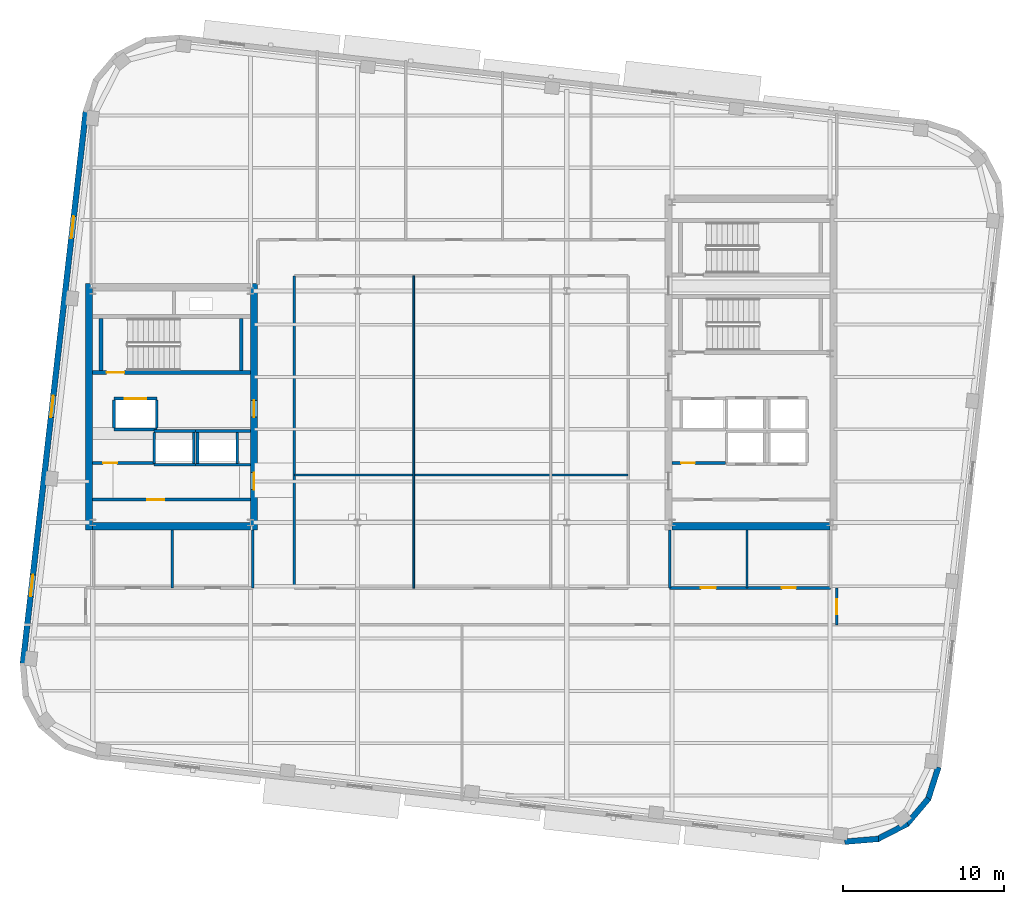
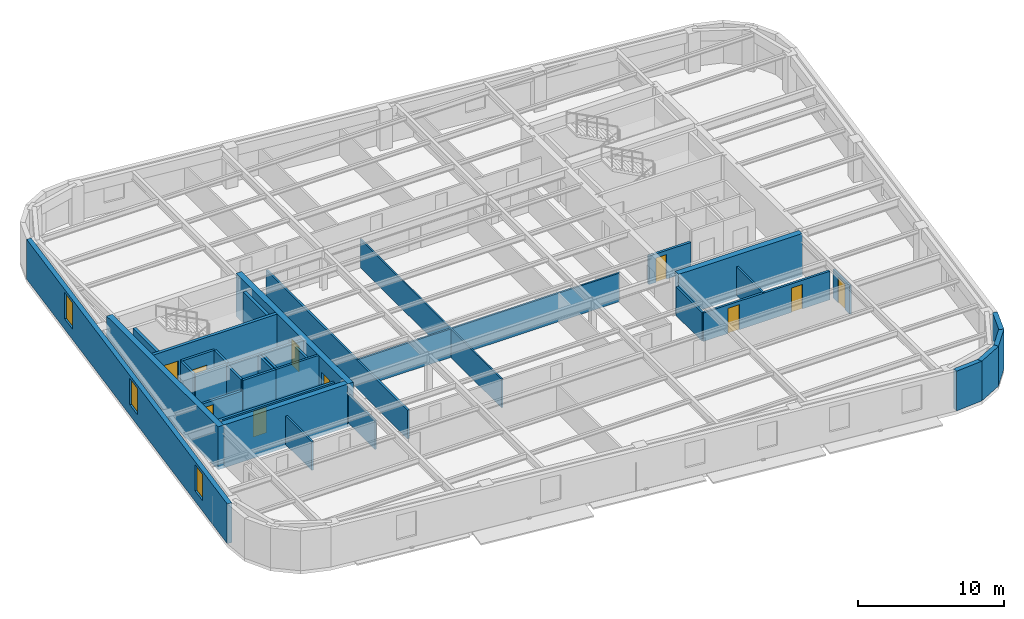
# One storey, part 6 of 13: 36 walls, 10 doors, 3 windows, 13 openings.
"""IFC4 building model written with IfcOpenShell, lengths in metres."""

from ifc_helpers import new_model, si_unit, direction, frame, frame_2d, origin, place, context, subcontext, project, spatial, rectangle, extrude, material, layer, layer_set, type_object, element, fill, save


model = new_model("IFC4")

# Units and contexts
model_context = context("Model", 3, precision=1e-05, world=origin(), true_north=direction((0.0, 1.0)))
body_context = subcontext(model_context, "Body", "Model", "MODEL_VIEW")
ifc_project = project(units=[si_unit("LENGTHUNIT", "METRE"), si_unit("AREAUNIT", "SQUARE_METRE"), si_unit("VOLUMEUNIT", "CUBIC_METRE"), si_unit("PLANEANGLEUNIT", "RADIAN"), si_unit("MASSUNIT", "GRAM", prefix="KILO")], contexts=[model_context])

# Site, building, storey
site_placement = place(None, origin())
site = spatial("IfcSite", under=ifc_project, at=site_placement, CompositionType="ELEMENT")
building_placement = place(site_placement, origin())
building = spatial("IfcBuilding", under=site, at=building_placement, Name="Kolvaren Arena Tower", CompositionType="ELEMENT")
storey_placement = place(building_placement, frame((0.0, 0.0, 265.949951171875)))
storey = spatial("IfcBuildingStorey", under=building, at=storey_placement, Name="L65", CompositionType="ELEMENT", Elevation=265.949951171875)

# Wall
ifc_material_1 = material(Name="Gypsum board acoustic assembly", Category="gypsum")
ifc_layer_1 = layer(ifc_material_1, 0.159912109375)
ifc_layer_set_1 = layer_set([ifc_layer_1], Name="Gypsum board acoustic assembly")
wall_type_1 = type_object("IfcWallType", Name="CORR-160", PredefinedType="PARTITIONING", material=ifc_layer_set_1)
wall_1_placement = place(storey_placement, frame((27.080078125, 15.3798828125, 0.0), z_axis=(0.0, 0.0, 1.0), x_axis=(0.0, 1.0, 0.0)))
element("IfcWall", 1, at=wall_1_placement, inside=storey, type_object=wall_type_1, Name="Interior Partition Wall (L65)", PredefinedType="PARTITIONING", context=body_context, shape_type="SweptSolid", body=[
    extrude(rectangle(XDim=19.400146484375, YDim=0.159912109375, at=frame_2d((9.7001953125, 0.0))), origin(), (0.0, 0.0, 1.0), 2.39013671875),
])

# Wall, opening, door
wall_2_placement = place(storey_placement, frame((60.780029296875, 13.10009765625, 0.0), z_axis=(0.0, 0.0, 1.0), x_axis=(0.0, 1.0, 0.0)))
wall_2 = element("IfcWall", 2, at=wall_2_placement, inside=storey, type_object=wall_type_1, Name="Interior Partition Wall (L65)", PredefinedType="PARTITIONING", context=body_context, shape_type="SweptSolid", body=[
    extrude(rectangle(XDim=2.2998046875, YDim=0.159912109375, at=frame_2d((1.14990234375, 0.0))), origin(), (0.0, 0.0, 1.0), 2.39013671875),
])
opening_1_placement = place(wall_2_placement, frame((0.64990234375, 0.0, 0.0)))
opening_1 = element("IfcOpeningElement", 3, at=opening_1_placement, cuts=wall_2, Name="Opening D05", PredefinedType="OPENING", context=body_context, shape_type="SweptSolid", body=[
    extrude(rectangle(XDim=0.949951171875, YDim=2.14990234375, at=frame_2d((0.47509765625, 1.074951171875))), frame((0.0, 0.08984375, 0.0), z_axis=(0.0, -1.0, 0.0), x_axis=(1.0, 0.0, 0.0)), (0.0, 0.0, 1.0), 0.179931640625),
])
ifc_material_2 = material(Name="Solid-core oak acoustic office door", Category="wood")
door_type_1 = type_object("IfcDoorType", Name="DOOR-OF-095", OperationType="NOTDEFINED", PredefinedType="DOOR", material=ifc_material_2)
door_1_placement = place(opening_1_placement, origin())
door_1 = element("IfcDoor", 4, at=door_1_placement, inside=storey, type_object=door_type_1, Name="East Wing Studio Door (L65)", OperationType="SINGLE_SWING_RIGHT", OverallHeight=2.14990234375, OverallWidth=0.949951171875, PredefinedType="DOOR", context=body_context, shape_type="SweptSolid", body=[
    extrude(rectangle(XDim=0.949951171875, YDim=2.14990234375, at=frame_2d((0.47509765625, 1.074951171875))), frame((0.0, 0.02490234375, 0.0), z_axis=(0.0, -1.0, 0.0), x_axis=(1.0, 0.0, 0.0)), (0.0, 0.0, 1.0), 0.050048828125),
])
fill(opening_1, door_1)

# Wall
ifc_material_3 = material(Name="Concrete 55 MPa", Category="concrete")
ifc_layer_2 = layer(ifc_material_3, 0.449951171875)
ifc_layer_set_2 = layer_set([ifc_layer_2], Name="Concrete 55 MPa")
wall_type_2 = type_object("IfcWallType", Name="CWALL-450", PredefinedType="SHEAR", material=ifc_layer_set_2)
wall_3_placement = place(storey_placement, frame((14.324951171875, 19.0, -0.27001953125), z_axis=(0.0, 0.0, 1.0), x_axis=(0.0, 1.0, 0.0)))
element("IfcWall", 5, at=wall_3_placement, inside=storey, type_object=wall_type_2, Name="Core Shear Wall WC-WEST (L65)", PredefinedType="SHEAR", context=body_context, shape_type="SweptSolid", body=[
    extrude(rectangle(XDim=15.300048828125, YDim=0.449951171875, at=frame_2d((7.64990234375, 0.0))), origin(), (0.0, 0.0, 1.0), 3.60009765625),
])

# Wall, openings, doors
wall_4_placement = place(storey_placement, frame((24.574951171875, 19.0, -0.27001953125), z_axis=(0.0, 0.0, 1.0), x_axis=(0.0, 1.0, 0.0)))
wall_4 = element("IfcWall", 6, at=wall_4_placement, inside=storey, type_object=wall_type_2, Name="Core Shear Wall WC-EAST (L65)", PredefinedType="SHEAR", context=body_context, shape_type="SweptSolid", body=[
    extrude(rectangle(XDim=15.300048828125, YDim=0.449951171875, at=frame_2d((7.64990234375, 0.0))), origin(), (0.0, 0.0, 1.0), 3.60009765625),
])
opening_2_placement = place(wall_4_placement, frame((2.5, 0.0, 0.27001953125)))
opening_2 = element("IfcOpeningElement", 7, at=opening_2_placement, cuts=wall_4, Name="Opening D04", PredefinedType="OPENING", context=body_context, shape_type="SweptSolid", body=[
    extrude(rectangle(XDim=1.050048828125, YDim=2.14990234375, at=frame_2d((0.52490234375, 1.074951171875))), frame((0.0, 0.23486328125, 0.0), z_axis=(0.0, -1.0, 0.0), x_axis=(1.0, 0.0, 0.0)), (0.0, 0.0, 1.0), 0.469970703125),
])
opening_3_placement = place(wall_4_placement, frame((7.0, 0.0, 0.27001953125)))
opening_3 = element("IfcOpeningElement", 8, at=opening_3_placement, cuts=wall_4, Name="Opening D04", PredefinedType="OPENING", context=body_context, shape_type="SweptSolid", body=[
    extrude(rectangle(XDim=1.050048828125, YDim=2.14990234375, at=frame_2d((0.52490234375, 1.074951171875))), frame((0.0, 0.23486328125, 0.0), z_axis=(0.0, -1.0, 0.0), x_axis=(1.0, 0.0, 0.0)), (0.0, 0.0, 1.0), 0.469970703125),
])
ifc_material_4 = material(Name="Fire-rated steel lobby door", Category="steel")
door_type_2 = type_object("IfcDoorType", Name="DOOR-FF-105", OperationType="NOTDEFINED", PredefinedType="DOOR", material=ifc_material_4)
door_2_placement = place(opening_2_placement, origin())
door_2 = element("IfcDoor", 9, at=door_2_placement, inside=storey, type_object=door_type_2, Name="West Lift Lobby Fire Door (L65)", OperationType="SINGLE_SWING_LEFT", OverallHeight=2.14990234375, OverallWidth=1.050048828125, PredefinedType="DOOR", context=body_context, shape_type="SweptSolid", body=[
    extrude(rectangle(XDim=1.050048828125, YDim=2.14990234375, at=frame_2d((0.52490234375, 1.074951171875))), frame((0.0, 0.02490234375, 0.0), z_axis=(0.0, -1.0, 0.0), x_axis=(1.0, 0.0, 0.0)), (0.0, 0.0, 1.0), 0.050048828125),
])
fill(opening_2, door_2)
door_3_placement = place(opening_3_placement, origin())
door_3 = element("IfcDoor", 10, at=door_3_placement, inside=storey, type_object=door_type_2, Name="West Firefighter Vestibule Door (L65)", OperationType="SINGLE_SWING_RIGHT", OverallHeight=2.14990234375, OverallWidth=1.050048828125, PredefinedType="DOOR", context=body_context, shape_type="SweptSolid", body=[
    extrude(rectangle(XDim=1.050048828125, YDim=2.14990234375, at=frame_2d((0.52490234375, 1.074951171875))), frame((0.0, 0.02490234375, 0.0), z_axis=(0.0, -1.0, 0.0), x_axis=(1.0, 0.0, 0.0)), (0.0, 0.0, 1.0), 0.050048828125),
])
fill(opening_3, door_3)

# Walls
for number, where, z_axis, x_axis, name in (
    (11, (14.550048828125, 19.22509765625, -0.27001953125), (0.0, 0.0, 1.0), (1.0, 0.0, 0.0), "Core Shear Wall WC-SOUTH (L65)"),
    (12, (50.550048828125, 19.22509765625, -0.27001953125), (0.0, 0.0, 1.0), (1.0, 0.0, 0.0), "Core Shear Wall EC-SOUTH (L65)"),
):
    element("IfcWall", number, at=place(storey_placement, frame(where, z_axis=z_axis, x_axis=x_axis)), inside=storey, type_object=wall_type_2, Name=name, PredefinedType="SHEAR", context=body_context, shape_type="SweptSolid", body=[
        extrude(rectangle(XDim=9.800048828125, YDim=0.449951171875, at=frame_2d((4.89990234375, 0.0))), origin(), (0.0, 0.0, 1.0), 3.60009765625),
    ])
ifc_material_5 = material(Name="Precast concrete C50/60", Category="concrete")
ifc_layer_3 = layer(ifc_material_5, 0.360107421875)
ifc_layer_set_3 = layer_set([ifc_layer_3], Name="Precast concrete C50/60")
wall_type_3 = type_object("IfcWallType", Name="EXT-PIER2", PredefinedType="SOLIDWALL", material=ifc_layer_set_3)
wall_5_placement = place(storey_placement, frame((63.370361328125, -0.199462890625, 0.0), z_axis=(0.0, 0.0, 1.0), x_axis=(-0.996562518477, -0.082844111233, 0.0)))
element("IfcWall", 13, at=wall_5_placement, inside=storey, type_object=wall_type_3, Name="Exterior Precast Masonry-Frame Wall (L65)", PredefinedType="SOLIDWALL", context=body_context, shape_type="SweptSolid", body=[
    extrude(rectangle(XDim=2.107177734375, YDim=0.360107421875, at=frame_2d((1.0537109375, 0.0))), origin(), (0.0, 0.0, 1.0), 3.330078125),
])
for number, where, z_axis, x_axis, name in (
    (14, (65.176025390625, 0.745849609375, 0.0), (0.0, 0.0, 1.0), (-0.888985992199, -0.457934390142, 0.0), "Exterior Precast Masonry-Frame Wall (L65)"),
    (15, (66.482421875, 2.310302734375, 0.0), (0.0, 0.0, 1.0), (-0.646103249464, -0.763250018691, 0.0), "Exterior Precast Masonry-Frame Wall (L65)"),
):
    element("IfcWall", number, at=place(storey_placement, frame(where, z_axis=z_axis, x_axis=x_axis)), inside=storey, type_object=wall_type_3, Name=name, PredefinedType="SOLIDWALL", context=body_context, shape_type="SweptSolid", body=[
        extrude(rectangle(XDim=2.10693359375, YDim=0.360107421875, at=frame_2d((1.053466796875, 0.0))), origin(), (0.0, 0.0, 1.0), 3.330078125),
    ])
wall_6_placement = place(storey_placement, frame((67.0908203125, 4.255615234375, 0.0), z_axis=(0.0, 0.0, 1.0), x_axis=(-0.304838787518, -0.952403965565, 0.0)))
element("IfcWall", 16, at=wall_6_placement, inside=storey, type_object=wall_type_3, Name="Exterior Precast Masonry-Frame Wall (L65)", PredefinedType="SOLIDWALL", context=body_context, shape_type="SweptSolid", body=[
    extrude(rectangle(XDim=2.107177734375, YDim=0.360107421875, at=frame_2d((1.0537109375, 0.0))), origin(), (0.0, 0.0, 1.0), 3.330078125),
])

# Wall, openings, windows
wall_7_placement = place(storey_placement, frame((10.211181640625, 10.70068359375, 0.0), z_axis=(0.0, 0.0, 1.0), x_axis=(0.113203107947, 0.993571867733, 0.0)))
wall_7 = element("IfcWall", 17, at=wall_7_placement, inside=storey, type_object=wall_type_3, Name="Exterior Precast Masonry-Frame Wall (L65)", PredefinedType="SOLIDWALL", context=body_context, shape_type="SweptSolid", body=[
    extrude(rectangle(XDim=34.5, YDim=0.360107421875, at=frame_2d((17.25, 0.0))), origin(), (0.0, 0.0, 1.0), 3.330078125),
])
opening_4_placement = place(wall_7_placement, frame((4.199951171875, 0.0, 0.8798828125)))
opening_4 = element("IfcOpeningElement", 18, at=opening_4_placement, cuts=wall_7, Name="Opening W04", PredefinedType="OPENING", context=body_context, shape_type="SweptSolid", body=[
    extrude(rectangle(XDim=1.35009765625, YDim=2.199951171875, at=frame_2d((0.675048828125, 1.10009765625))), frame((0.0, 0.18994140625, 0.0), z_axis=(0.0, -1.0, 0.0), x_axis=(1.0, 0.0, 0.0)), (0.0, 0.0, 1.0), 0.380126953125),
])
opening_5_placement = place(wall_7_placement, frame((15.39990234375, 0.0, 0.8798828125)))
opening_5 = element("IfcOpeningElement", 19, at=opening_5_placement, cuts=wall_7, Name="Opening W04", PredefinedType="OPENING", context=body_context, shape_type="SweptSolid", body=[
    extrude(rectangle(XDim=1.35009765625, YDim=2.199951171875, at=frame_2d((0.675048828125, 1.10009765625))), frame((0.0, 0.18994140625, 0.0), z_axis=(0.0, -1.0, 0.0), x_axis=(1.0, 0.0, 0.0)), (0.0, 0.0, 1.0), 0.380126953125),
])
opening_6_placement = place(wall_7_placement, frame((26.60009765625, 0.0, 0.8798828125)))
opening_6 = element("IfcOpeningElement", 20, at=opening_6_placement, cuts=wall_7, Name="Opening W04", PredefinedType="OPENING", context=body_context, shape_type="SweptSolid", body=[
    extrude(rectangle(XDim=1.35009765625, YDim=2.199951171875, at=frame_2d((0.675048828125, 1.10009765625))), frame((0.0, 0.18994140625, 0.0), z_axis=(0.0, -1.0, 0.0), x_axis=(1.0, 0.0, 0.0)), (0.0, 0.0, 1.0), 0.380126953125),
])
ifc_material_6 = material(Name="Triple-glazed curved-facet corner window", Category="glass")
window_type = type_object("IfcWindowType", Name="WIN-CRN-A", PartitioningType="SINGLE_PANEL", PredefinedType="WINDOW", material=ifc_material_6)
window_1_placement = place(opening_4_placement, origin())
window_1 = element("IfcWindow", 21, at=window_1_placement, inside=storey, type_object=window_type, Name="End-Wall Punched Window (L65)", OverallHeight=2.199951171875, OverallWidth=1.35009765625, PartitioningType="SINGLE_PANEL", PredefinedType="WINDOW", context=body_context, shape_type="SweptSolid", body=[
    extrude(rectangle(XDim=1.35009765625, YDim=2.199951171875, at=frame_2d((0.675048828125, 1.10009765625))), frame((0.0, 0.030029296875, 0.0), z_axis=(0.0, -1.0, 0.0), x_axis=(1.0, 0.0, 0.0)), (0.0, 0.0, 1.0), 0.06005859375),
])
fill(opening_4, window_1)
window_2_placement = place(opening_5_placement, origin())
window_2 = element("IfcWindow", 22, at=window_2_placement, inside=storey, type_object=window_type, Name="End-Wall Punched Window (L65)", OverallHeight=2.199951171875, OverallWidth=1.35009765625, PartitioningType="SINGLE_PANEL", PredefinedType="WINDOW", context=body_context, shape_type="SweptSolid", body=[
    extrude(rectangle(XDim=1.35009765625, YDim=2.199951171875, at=frame_2d((0.675048828125, 1.10009765625))), frame((0.0, 0.030029296875, 0.0), z_axis=(0.0, -1.0, 0.0), x_axis=(1.0, 0.0, 0.0)), (0.0, 0.0, 1.0), 0.06005859375),
])
fill(opening_5, window_2)
window_3_placement = place(opening_6_placement, origin())
window_3 = element("IfcWindow", 23, at=window_3_placement, inside=storey, type_object=window_type, Name="End-Wall Punched Window (L65)", OverallHeight=2.199951171875, OverallWidth=1.35009765625, PartitioningType="SINGLE_PANEL", PredefinedType="WINDOW", context=body_context, shape_type="SweptSolid", body=[
    extrude(rectangle(XDim=1.35009765625, YDim=2.199951171875, at=frame_2d((0.675048828125, 1.10009765625))), frame((0.0, 0.030029296875, 0.0), z_axis=(0.0, -1.0, 0.0), x_axis=(1.0, 0.0, 0.0)), (0.0, 0.0, 1.0), 0.06005859375),
])
fill(opening_6, window_3)

# Wall, opening, door
ifc_material_7 = material(Name="Concrete 40 MPa", Category="concrete")
ifc_layer_4 = layer(ifc_material_7, 0.199951171875)
ifc_layer_set_4 = layer_set([ifc_layer_4], Name="Concrete 40 MPa")
wall_type_4 = type_object("IfcWallType", Name="LOBBY-200", PredefinedType="SOLIDWALL", material=ifc_layer_set_4)
wall_8_placement = place(storey_placement, frame((50.550048828125, 23.159912109375, 0.0), z_axis=(0.0, 0.0, 1.0), x_axis=(1.0, 0.0, 0.0)))
wall_8 = element("IfcWall", 24, at=wall_8_placement, inside=storey, type_object=wall_type_4, Name="Core Shaft Wall (L65)", PredefinedType="SOLIDWALL", context=body_context, shape_type="SweptSolid", body=[
    extrude(rectangle(XDim=3.329833984375, YDim=0.199951171875, at=frame_2d((1.6650390625, 0.0))), origin(), (0.0, 0.0, 1.0), 2.39013671875),
])
opening_7_placement = place(wall_8_placement, frame((0.550048828125, 0.0, 0.0)))
opening_7 = element("IfcOpeningElement", 25, at=opening_7_placement, cuts=wall_8, Name="Opening D09", PredefinedType="OPENING", context=body_context, shape_type="SweptSolid", body=[
    extrude(rectangle(XDim=0.860107421875, YDim=2.050048828125, at=frame_2d((0.43017578125, 1.02490234375))), frame((0.0, 0.10986328125, 0.0), z_axis=(0.0, -1.0, 0.0), x_axis=(1.0, 0.0, 0.0)), (0.0, 0.0, 1.0), 0.219970703125),
])
ifc_material_8 = material(Name="Fire-rated steel riser access door", Category="steel")
door_type_3 = type_object("IfcDoorType", Name="DOOR-RS-086", OperationType="NOTDEFINED", PredefinedType="DOOR", material=ifc_material_8)
door_4_placement = place(opening_7_placement, origin())
door_4 = element("IfcDoor", 26, at=door_4_placement, inside=storey, type_object=door_type_3, Name="East AV Riser Closet Door (L65)", OperationType="SINGLE_SWING_LEFT", OverallHeight=2.050048828125, OverallWidth=0.860107421875, PredefinedType="DOOR", context=body_context, shape_type="SweptSolid", body=[
    extrude(rectangle(XDim=0.860107421875, YDim=2.050048828125, at=frame_2d((0.43017578125, 1.02490234375))), frame((0.0, 0.02490234375, 0.0), z_axis=(0.0, -1.0, 0.0), x_axis=(1.0, 0.0, 0.0)), (0.0, 0.0, 1.0), 0.050048828125),
])
fill(opening_7, door_4)

wall_9_placement = place(storey_placement, frame((14.550048828125, 20.8798828125, 0.0), z_axis=(0.0, 0.0, 1.0), x_axis=(1.0, 0.0, 0.0)))
wall_9 = element("IfcWall", 27, at=wall_9_placement, inside=storey, type_object=wall_type_4, Name="Core Shaft Wall (L65)", PredefinedType="SOLIDWALL", context=body_context, shape_type="SweptSolid", body=[
    extrude(rectangle(XDim=9.800048828125, YDim=0.199951171875, at=frame_2d((4.89990234375, 0.0))), origin(), (0.0, 0.0, 1.0), 2.39013671875),
])
opening_8_placement = place(wall_9_placement, frame((3.39990234375, 0.0, 0.0)))
opening_8 = element("IfcOpeningElement", 28, at=opening_8_placement, cuts=wall_9, Name="Opening D04", PredefinedType="OPENING", context=body_context, shape_type="SweptSolid", body=[
    extrude(rectangle(XDim=1.050048828125, YDim=2.14990234375, at=frame_2d((0.52490234375, 1.074951171875))), frame((0.0, 0.10986328125, 0.0), z_axis=(0.0, -1.0, 0.0), x_axis=(1.0, 0.0, 0.0)), (0.0, 0.0, 1.0), 0.219970703125),
])
door_5_placement = place(opening_8_placement, origin())
door_5 = element("IfcDoor", 29, at=door_5_placement, inside=storey, type_object=door_type_2, Name="West IT Room Fire Door (L65)", OperationType="SINGLE_SWING_LEFT", OverallHeight=2.14990234375, OverallWidth=1.050048828125, PredefinedType="DOOR", context=body_context, shape_type="SweptSolid", body=[
    extrude(rectangle(XDim=1.050048828125, YDim=2.14990234375, at=frame_2d((0.52490234375, 1.074951171875))), frame((0.0, 0.02490234375, 0.0), z_axis=(0.0, -1.0, 0.0), x_axis=(1.0, 0.0, 0.0)), (0.0, 0.0, 1.0), 0.050048828125),
])
fill(opening_8, door_5)

wall_10_placement = place(storey_placement, frame((14.550048828125, 23.159912109375, 0.0), z_axis=(0.0, 0.0, 1.0), x_axis=(1.0, 0.0, 0.0)))
wall_10 = element("IfcWall", 30, at=wall_10_placement, inside=storey, type_object=wall_type_4, Name="Core Shaft Wall (L65)", PredefinedType="SOLIDWALL", context=body_context, shape_type="SweptSolid", body=[
    extrude(rectangle(XDim=3.820068359375, YDim=0.199951171875, at=frame_2d((1.91015625, 0.0))), origin(), (0.0, 0.0, 1.0), 2.39013671875),
])
opening_9_placement = place(wall_10_placement, frame((0.64990234375, 0.0, 0.0)))
opening_9 = element("IfcOpeningElement", 31, at=opening_9_placement, cuts=wall_10, Name="Opening D09", PredefinedType="OPENING", context=body_context, shape_type="SweptSolid", body=[
    extrude(rectangle(XDim=0.860107421875, YDim=2.050048828125, at=frame_2d((0.43017578125, 1.02490234375))), frame((0.0, 0.10986328125, 0.0), z_axis=(0.0, -1.0, 0.0), x_axis=(1.0, 0.0, 0.0)), (0.0, 0.0, 1.0), 0.219970703125),
])
door_6_placement = place(opening_9_placement, origin())
door_6 = element("IfcDoor", 32, at=door_6_placement, inside=storey, type_object=door_type_3, Name="West Document Archive Riser Door (L65)", OperationType="SINGLE_SWING_RIGHT", OverallHeight=2.050048828125, OverallWidth=0.860107421875, PredefinedType="DOOR", context=body_context, shape_type="SweptSolid", body=[
    extrude(rectangle(XDim=0.860107421875, YDim=2.050048828125, at=frame_2d((0.43017578125, 1.02490234375))), frame((0.0, 0.02490234375, 0.0), z_axis=(0.0, -1.0, 0.0), x_axis=(1.0, 0.0, 0.0)), (0.0, 0.0, 1.0), 0.050048828125),
])
fill(opening_9, door_6)

# Walls
ifc_material_9 = material(Name="Gypsum board partition assembly", Category="gypsum")
ifc_layer_5 = layer(ifc_material_9, 0.114990234375)
ifc_layer_set_5 = layer_set([ifc_layer_5], Name="Gypsum board partition assembly")
wall_type_5 = type_object("IfcWallType", Name="PART-115", PredefinedType="PARTITIONING", material=ifc_layer_set_5)
wall_11_placement = place(storey_placement, frame((34.5, 15.3798828125, 0.0), z_axis=(0.0, 0.0, 1.0), x_axis=(0.0, 1.0, 0.0)))
element("IfcWall", 33, at=wall_11_placement, inside=storey, type_object=wall_type_5, Name="Interior Partition Wall (L65)", PredefinedType="PARTITIONING", context=body_context, shape_type="SweptSolid", body=[
    extrude(rectangle(XDim=19.400146484375, YDim=0.114990234375, at=frame_2d((9.7001953125, 0.0))), origin(), (0.0, 0.0, 1.0), 2.39013671875),
])
ifc_layer_6 = layer(ifc_material_9, 0.135009765625)
ifc_layer_set_6 = layer_set([ifc_layer_6], Name="Gypsum board partition assembly")
wall_type_6 = type_object("IfcWallType", Name="PART-135", PredefinedType="PARTITIONING", material=ifc_layer_set_6)
wall_12_placement = place(storey_placement, frame((27.080078125, 22.39990234375, 0.0), z_axis=(0.0, 0.0, 1.0), x_axis=(1.0, 0.0, 0.0)))
element("IfcWall", 34, at=wall_12_placement, inside=storey, type_object=wall_type_6, Name="Interior Partition Wall (L65)", PredefinedType="PARTITIONING", context=body_context, shape_type="SweptSolid", body=[
    extrude(rectangle(XDim=20.739990234375, YDim=0.135009765625, at=frame_2d((10.3701171875, 0.0))), origin(), (0.0, 0.0, 1.0), 2.39013671875),
])

# Wall, opening, door
ifc_material_10 = material(Name="Concrete 45 MPa", Category="concrete")
ifc_layer_7 = layer(ifc_material_10, 0.25)
ifc_layer_set_7 = layer_set([ifc_layer_7], Name="Concrete 45 MPa")
wall_type_7 = type_object("IfcWallType", Name="SHAFT-250", PredefinedType="SOLIDWALL", material=ifc_layer_set_7)
wall_13_placement = place(storey_placement, frame((24.35009765625, 28.780029296875, 0.0), z_axis=(0.0, 0.0, 1.0), x_axis=(-1.0, 0.0, 0.0)))
wall_13 = element("IfcWall", 35, at=wall_13_placement, inside=storey, type_object=wall_type_7, Name="Core Shaft Wall (L65)", PredefinedType="SOLIDWALL", context=body_context, shape_type="SweptSolid", body=[
    extrude(rectangle(XDim=9.800048828125, YDim=0.239990234375, at=frame_2d((4.89990234375, 0.0))), origin(), (0.0, 0.0, 1.0), 3.330078125),
])
opening_10_placement = place(wall_13_placement, frame((7.830078125, 0.0, 0.0)))
opening_10 = element("IfcOpeningElement", 36, at=opening_10_placement, cuts=wall_13, Name="Opening D03", PredefinedType="OPENING", context=body_context, shape_type="SweptSolid", body=[
    extrude(rectangle(XDim=1.10009765625, YDim=2.14990234375, at=frame_2d((0.550048828125, 1.074951171875))), frame((0.0, 0.1298828125, 0.0), z_axis=(0.0, -1.0, 0.0), x_axis=(1.0, 0.0, 0.0)), (0.0, 0.0, 1.0), 0.260009765625),
])
ifc_material_11 = material(Name="Fire-rated steel exit stair door", Category="steel")
door_type_4 = type_object("IfcDoorType", Name="DOOR-ST-110", OperationType="NOTDEFINED", PredefinedType="DOOR", material=ifc_material_11)
door_7_placement = place(opening_10_placement, origin())
door_7 = element("IfcDoor", 37, at=door_7_placement, inside=storey, type_object=door_type_4, Name="Stair ST-W1 Fire Door (L65)", OperationType="SINGLE_SWING_RIGHT", OverallHeight=2.14990234375, OverallWidth=1.10009765625, PredefinedType="DOOR", context=body_context, shape_type="SweptSolid", body=[
    extrude(rectangle(XDim=1.10009765625, YDim=2.14990234375, at=frame_2d((0.550048828125, 1.074951171875))), frame((0.0, 0.02490234375, 0.0), z_axis=(0.0, -1.0, 0.0), x_axis=(1.0, 0.0, 0.0)), (0.0, 0.0, 1.0), 0.050048828125),
])
fill(opening_10, door_7)

# Walls
for number, where, z_axis, x_axis, name in (
    (38, (15.06005859375, 28.89990234375, 0.0), (0.0, 0.0, 1.0), (0.0, 1.0, 0.0), "Core Shaft Wall (L65)"),
    (39, (23.780029296875, 28.89990234375, 0.0), (0.0, 0.0, 1.0), (0.0, 1.0, 0.0), "Core Shaft Wall (L65)"),
):
    element("IfcWall", number, at=place(storey_placement, frame(where, z_axis=z_axis, x_axis=x_axis)), inside=storey, type_object=wall_type_7, Name=name, PredefinedType="SOLIDWALL", context=body_context, shape_type="SweptSolid", body=[
        extrude(rectangle(XDim=3.22998046875, YDim=0.239990234375, at=frame_2d((1.614990234375, 0.0))), origin(), (0.0, 0.0, 1.0), 3.330078125),
    ])
for number, where, z_axis, x_axis, name in (
    (40, (18.3701171875, 25.155029296875, 0.0), (0.0, 0.0, 1.0), (1.0, 0.0, 0.0), "Core Shaft Wall (L65)"),
    (41, (18.3701171875, 23.044921875, 0.0), (0.0, 0.0, 1.0), (1.0, 0.0, 0.0), "Core Shaft Wall (L65)"),
):
    element("IfcWall", number, at=place(storey_placement, frame(where, z_axis=z_axis, x_axis=x_axis)), inside=storey, type_object=wall_type_7, Name=name, PredefinedType="SOLIDWALL", context=body_context, shape_type="SweptSolid", body=[
        extrude(rectangle(XDim=2.579833984375, YDim=0.179931640625, at=frame_2d((1.2900390625, 0.0))), origin(), (0.0, 0.0, 1.0), 3.330078125),
    ])
for number, where, z_axis, x_axis, name in (
    (42, (18.3701171875, 23.135009765625, 0.0), (0.0, 0.0, 1.0), (0.0, 1.0, 0.0), "Core Shaft Wall (L65)"),
    (43, (20.830078125, 23.135009765625, 0.0), (0.0, 0.0, 1.0), (0.0, 1.0, 0.0), "Core Shaft Wall (L65)"),
):
    element("IfcWall", number, at=place(storey_placement, frame(where, z_axis=z_axis, x_axis=x_axis)), inside=storey, type_object=wall_type_7, Name=name, PredefinedType="SOLIDWALL", context=body_context, shape_type="SweptSolid", body=[
        extrude(rectangle(XDim=1.929931640625, YDim=0.179931640625, at=frame_2d((0.96484375, 0.0))), origin(), (0.0, 0.0, 1.0), 3.330078125),
    ])
for number, where, z_axis, x_axis, name in (
    (44, (20.949951171875, 25.155029296875, 0.0), (0.0, 0.0, 1.0), (1.0, 0.0, 0.0), "Core Shaft Wall (L65)"),
    (45, (20.949951171875, 23.044921875, 0.0), (0.0, 0.0, 1.0), (1.0, 0.0, 0.0), "Core Shaft Wall (L65)"),
):
    element("IfcWall", number, at=place(storey_placement, frame(where, z_axis=z_axis, x_axis=x_axis)), inside=storey, type_object=wall_type_7, Name=name, PredefinedType="SOLIDWALL", context=body_context, shape_type="SweptSolid", body=[
        extrude(rectangle(XDim=3.400146484375, YDim=0.179931640625, at=frame_2d((1.7001953125, 0.0))), origin(), (0.0, 0.0, 1.0), 3.330078125),
    ])
for number, where, z_axis, x_axis, name in (
    (46, (21.070068359375, 23.135009765625, 0.0), (0.0, 0.0, 1.0), (0.0, 1.0, 0.0), "Core Shaft Wall (L65)"),
    (47, (23.530029296875, 23.135009765625, 0.0), (0.0, 0.0, 1.0), (0.0, 1.0, 0.0), "Core Shaft Wall (L65)"),
):
    element("IfcWall", number, at=place(storey_placement, frame(where, z_axis=z_axis, x_axis=x_axis)), inside=storey, type_object=wall_type_7, Name=name, PredefinedType="SOLIDWALL", context=body_context, shape_type="SweptSolid", body=[
        extrude(rectangle(XDim=1.929931640625, YDim=0.179931640625, at=frame_2d((0.96484375, 0.0))), origin(), (0.0, 0.0, 1.0), 3.330078125),
    ])

# Wall, opening, door
wall_14_placement = place(storey_placement, frame((15.8701171875, 27.155029296875, 0.0), z_axis=(0.0, 0.0, 1.0), x_axis=(1.0, 0.0, 0.0)))
wall_14 = element("IfcWall", 48, at=wall_14_placement, inside=storey, type_object=wall_type_7, Name="Core Shaft Wall (L65)", PredefinedType="SOLIDWALL", context=body_context, shape_type="SweptSolid", body=[
    extrude(rectangle(XDim=2.659912109375, YDim=0.179931640625, at=frame_2d((1.330078125, 0.0))), origin(), (0.0, 0.0, 1.0), 3.330078125),
])
opening_11_placement = place(wall_14_placement, frame((0.655029296875, 0.0, 0.0)))
opening_11 = element("IfcOpeningElement", 49, at=opening_11_placement, cuts=wall_14, Name="Opening LD2", PredefinedType="OPENING", context=body_context, shape_type="SweptSolid", body=[
    extrude(rectangle(XDim=1.35009765625, YDim=2.300048828125, at=frame_2d((0.675048828125, 1.14990234375))), frame((0.0, 0.099853515625, 0.0), z_axis=(0.0, -1.0, 0.0), x_axis=(1.0, 0.0, 0.0)), (0.0, 0.0, 1.0), 0.199951171875),
])
ifc_material_12 = material(Name="Stainless steel firefighter lift landing door", Category="steel")
door_type_5 = type_object("IfcDoorType", Name="DOOR-LD-135", OperationType="DOUBLE_DOOR_SLIDING", PredefinedType="DOOR", material=ifc_material_12)
door_8_placement = place(opening_11_placement, origin())
door_8 = element("IfcDoor", 50, at=door_8_placement, inside=storey, type_object=door_type_5, Name="Firefighter Lift FF-W1 Landing Door (L65)", OperationType="DOUBLE_DOOR_SLIDING", OverallHeight=2.300048828125, OverallWidth=1.35009765625, PredefinedType="DOOR", context=body_context, shape_type="SweptSolid", body=[
    extrude(rectangle(XDim=1.35009765625, YDim=2.300048828125, at=frame_2d((0.675048828125, 1.14990234375))), frame((0.0, 0.02490234375, 0.0), z_axis=(0.0, -1.0, 0.0), x_axis=(1.0, 0.0, 0.0)), (0.0, 0.0, 1.0), 0.050048828125),
])
fill(opening_11, door_8)

# Walls
wall_15_placement = place(storey_placement, frame((15.8701171875, 25.2451171875, 0.0), z_axis=(0.0, 0.0, 1.0), x_axis=(1.0, 0.0, 0.0)))
element("IfcWall", 51, at=wall_15_placement, inside=storey, type_object=wall_type_7, Name="Core Shaft Wall (L65)", PredefinedType="SOLIDWALL", context=body_context, shape_type="SweptSolid", body=[
    extrude(rectangle(XDim=2.659912109375, YDim=0.179931640625, at=frame_2d((1.330078125, 0.0))), origin(), (0.0, 0.0, 1.0), 3.330078125),
])
for number, where, z_axis, x_axis, name in (
    (52, (15.8701171875, 25.3349609375, 0.0), (0.0, 0.0, 1.0), (0.0, 1.0, 0.0), "Core Shaft Wall (L65)"),
    (53, (18.530029296875, 25.3349609375, 0.0), (0.0, 0.0, 1.0), (0.0, 1.0, 0.0), "Core Shaft Wall (L65)"),
):
    element("IfcWall", number, at=place(storey_placement, frame(where, z_axis=z_axis, x_axis=x_axis)), inside=storey, type_object=wall_type_7, Name=name, PredefinedType="SOLIDWALL", context=body_context, shape_type="SweptSolid", body=[
        extrude(rectangle(XDim=1.72998046875, YDim=0.179931640625, at=frame_2d((0.864990234375, 0.0))), origin(), (0.0, 0.0, 1.0), 3.330078125),
    ])

# Wall, openings, doors
wall_16_placement = place(storey_placement, frame((50.39990234375, 15.39990234375, 0.0), z_axis=(0.0, 0.0, 1.0), x_axis=(1.0, 0.0, 0.0)))
wall_16 = element("IfcWall", 54, at=wall_16_placement, inside=storey, type_object=wall_type_7, Name="Interior Partition Wall (L65)", PredefinedType="SOLIDWALL", context=body_context, shape_type="SweptSolid", body=[
    extrude(rectangle(XDim=10.0, YDim=0.179931640625, at=frame_2d((5.0, 0.0))), origin(), (0.0, 0.0, 1.0), 2.39013671875),
])
opening_12_placement = place(wall_16_placement, frame((1.93994140625, 0.0, 0.0)))
opening_12 = element("IfcOpeningElement", 55, at=opening_12_placement, cuts=wall_16, Name="Opening D07", PredefinedType="OPENING", context=body_context, shape_type="SweptSolid", body=[
    extrude(rectangle(XDim=0.919921875, YDim=2.10009765625, at=frame_2d((0.4599609375, 1.050048828125))), frame((0.0, 0.099853515625, 0.0), z_axis=(0.0, -1.0, 0.0), x_axis=(1.0, 0.0, 0.0)), (0.0, 0.0, 1.0), 0.199951171875),
])
opening_13_placement = place(wall_16_placement, frame((6.969970703125, 0.0, 0.0)))
opening_13 = element("IfcOpeningElement", 56, at=opening_13_placement, cuts=wall_16, Name="Opening D09", PredefinedType="OPENING", context=body_context, shape_type="SweptSolid", body=[
    extrude(rectangle(XDim=0.860107421875, YDim=2.050048828125, at=frame_2d((0.43017578125, 1.02490234375))), frame((0.0, 0.099853515625, 0.0), z_axis=(0.0, -1.0, 0.0), x_axis=(1.0, 0.0, 0.0)), (0.0, 0.0, 1.0), 0.199951171875),
])
door_9_placement = place(opening_13_placement, origin())
door_9 = element("IfcDoor", 57, at=door_9_placement, inside=storey, type_object=door_type_3, Name="Electrical Riser Closet Door (L65)", OperationType="SINGLE_SWING_RIGHT", OverallHeight=2.050048828125, OverallWidth=0.860107421875, PredefinedType="DOOR", context=body_context, shape_type="SweptSolid", body=[
    extrude(rectangle(XDim=0.860107421875, YDim=2.050048828125, at=frame_2d((0.43017578125, 1.02490234375))), frame((0.0, 0.02490234375, 0.0), z_axis=(0.0, -1.0, 0.0), x_axis=(1.0, 0.0, 0.0)), (0.0, 0.0, 1.0), 0.050048828125),
])
fill(opening_13, door_9)
ifc_material_13 = material(Name="Laminate universal washroom door", Category="wood")
door_type_6 = type_object("IfcDoorType", Name="DOOR-WC-092", OperationType="NOTDEFINED", PredefinedType="DOOR", material=ifc_material_13)
door_10_placement = place(opening_12_placement, origin())
door_10 = element("IfcDoor", 58, at=door_10_placement, inside=storey, type_object=door_type_6, Name="Cleaner and Janitor Store Door (L65)", OperationType="SINGLE_SWING_LEFT", OverallHeight=2.10009765625, OverallWidth=0.919921875, PredefinedType="DOOR", context=body_context, shape_type="SweptSolid", body=[
    extrude(rectangle(XDim=0.919921875, YDim=2.10009765625, at=frame_2d((0.4599609375, 1.050048828125))), frame((0.0, 0.02490234375, 0.0), z_axis=(0.0, -1.0, 0.0), x_axis=(1.0, 0.0, 0.0)), (0.0, 0.0, 1.0), 0.050048828125),
])
fill(opening_12, door_10)

# Walls
ifc_material_14 = material(Name="Moisture-resistant gypsum assembly", Category="gypsum")
ifc_layer_8 = layer(ifc_material_14, 0.14990234375)
ifc_layer_set_8 = layer_set([ifc_layer_8], Name="Moisture-resistant gypsum assembly")
wall_type_8 = type_object("IfcWallType", Name="WETW-150", PredefinedType="PARTITIONING", material=ifc_layer_set_8)
for number, where, z_axis, x_axis, name in (
    (59, (19.5, 15.39990234375, 0.0), (0.0, 0.0, 1.0), (0.0, 1.0, 0.0), "Interior Partition Wall (L65)"),
    (60, (24.5, 15.39990234375, 0.0), (0.0, 0.0, 1.0), (0.0, 1.0, 0.0), "Interior Partition Wall (L65)"),
    (61, (55.199951171875, 15.39990234375, 0.0), (0.0, 0.0, 1.0), (0.0, 1.0, 0.0), "Interior Partition Wall (L65)"),
    (62, (50.39990234375, 15.39990234375, 0.0), (0.0, 0.0, 1.0), (0.0, 1.0, 0.0), "Interior Partition Wall (L65)"),
):
    element("IfcWall", number, at=place(storey_placement, frame(where, z_axis=z_axis, x_axis=x_axis)), inside=storey, type_object=wall_type_8, Name=name, PredefinedType="PARTITIONING", context=body_context, shape_type="SweptSolid", body=[
        extrude(rectangle(XDim=3.580078125, YDim=0.14990234375, at=frame_2d((1.7900390625, 0.0))), origin(), (0.0, 0.0, 1.0), 2.39013671875),
    ])

save(model, "model.ifc")
